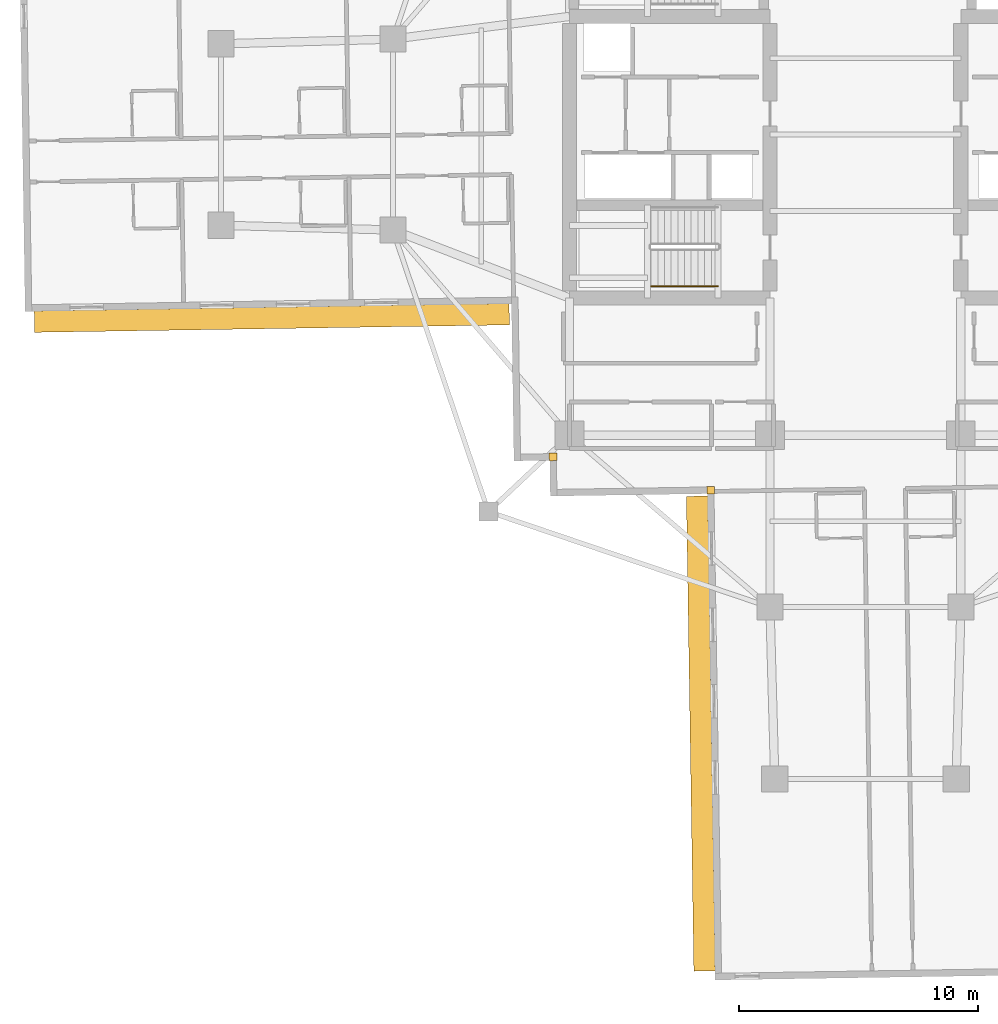
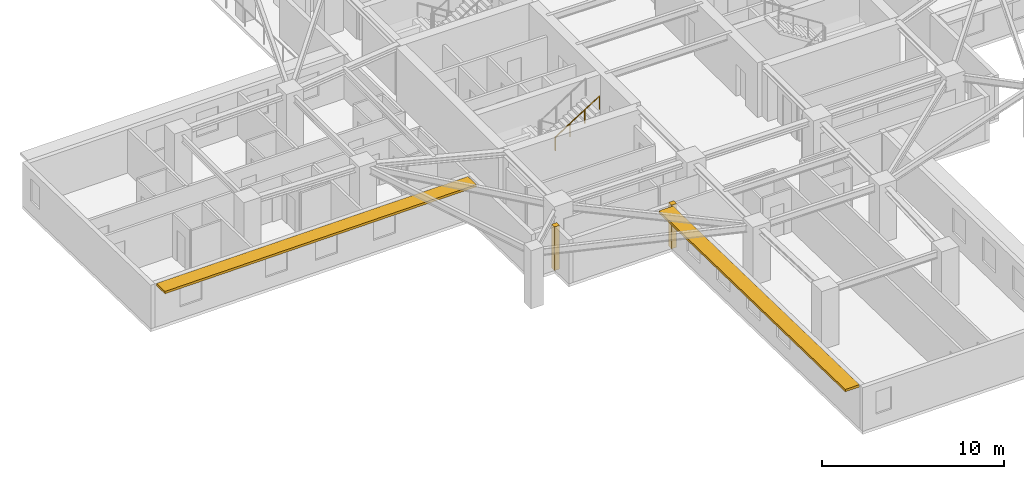
# One storey, part 9 of 13: 2 coverings, 2 shading devices, 1 railing.
"""IFC4 building model written with IfcOpenShell, lengths in metres."""

import ifcopenshell
import ifcopenshell.guid

model = None  # the IFC model being written
_history = None  # IfcOwnerHistory: only IFC2X3 demands one
_inside = {}  # id of a spatial element -> (the spatial element, [elements in it])
_under = {}  # id of a project, library or spatial element -> (it, [spatial elements below it])
_declared = {}  # id of a project -> (the project, [libraries it declares])
_typed = {}  # id of a type object -> (the type object, [elements of that type])
_made_of = {}  # id of a material, layer set ... -> (it, [elements and type objects made of it])


def new_model(schema):
    """Start an empty IFC model of exactly this schema.

    Asked for "IFC4X3", IfcOpenShell would pick the latest addendum, in which some entities
    have other attributes; the version numbers below select the first issue.
    IFC2X3 requires an IfcOwnerHistory on every rooted entity: one is made here for all.
    """
    global model, _history
    if schema == "IFC4X3":
        model = ifcopenshell.file(schema_version=(4, 3, 0, 0))
    else:
        model = ifcopenshell.file(schema=schema)
    _inside.clear()
    _under.clear()
    _declared.clear()
    _typed.clear()
    _made_of.clear()
    _history = None
    if model.schema == "IFC2X3":
        org = make("IfcOrganization", Name="unknown")
        user = make(
            "IfcPersonAndOrganization",
            ThePerson=make("IfcPerson", FamilyName="unknown"),
            TheOrganization=org,
        )
        app = make(
            "IfcApplication",
            ApplicationDeveloper=org,
            Version="unknown",
            ApplicationFullName="unknown",
            ApplicationIdentifier="unknown",
        )
        _history = make(
            "IfcOwnerHistory",
            OwningUser=user,
            OwningApplication=app,
            ChangeAction="ADDED",
            CreationDate=0,
        )
    return model


def make(cls, **values):
    """One entity of the class cls with the attributes given. An attribute that is None is left unset."""
    return model.create_entity(
        cls, **{name: value for name, value in values.items() if value is not None}
    )


def rooted(cls, **values):
    """An entity with a GlobalId (a new one), such as an element, a storey or a relation."""
    return make(cls, GlobalId=ifcopenshell.guid.new(), OwnerHistory=_history, **values)


def si_unit(unit_type, name, prefix=None):
    """IfcSIUnit, for example si_unit("LENGTHUNIT", "METRE", prefix="MILLI")."""
    return make("IfcSIUnit", UnitType=unit_type, Prefix=prefix, Name=name)


def assignment(units):
    """IfcUnitAssignment: the units of a project."""
    return None if units is None else make("IfcUnitAssignment", Units=units)


def point(xyz):
    """IfcCartesianPoint."""
    return None if xyz is None else make("IfcCartesianPoint", Coordinates=xyz)


def direction(xyz):
    """IfcDirection."""
    return None if xyz is None else make("IfcDirection", DirectionRatios=xyz)


def frame(location, z_axis=None, x_axis=None):
    """IfcAxis2Placement3D, a coordinate frame: its origin and axes. An axis left out is left unset."""
    return make(
        "IfcAxis2Placement3D",
        Location=point(location),
        Axis=direction(z_axis),
        RefDirection=direction(x_axis),
    )


def frame_2d(location, x_axis=None):
    """IfcAxis2Placement2D, a coordinate frame in the plane: its origin and x axis."""
    return make(
        "IfcAxis2Placement2D", Location=point(location), RefDirection=direction(x_axis)
    )


def origin():
    """The frame at (0, 0, 0) with its axes left unset."""
    return frame((0.0, 0.0, 0.0))


def origin_2d():
    """The frame at (0, 0) in the plane with its x axis left unset."""
    return frame_2d((0.0, 0.0))


def place(relative_to, where):
    """IfcLocalPlacement: puts the frame where relative to a parent placement (None: the world)."""
    return make(
        "IfcLocalPlacement", PlacementRelTo=relative_to, RelativePlacement=where
    )


def context(
    kind, dimensions, precision=None, world=None, true_north=None, identifier=None
):
    """IfcGeometricRepresentationContext, for example the 3D "Model" context."""
    return make(
        "IfcGeometricRepresentationContext",
        ContextIdentifier=identifier,
        ContextType=kind,
        CoordinateSpaceDimension=dimensions,
        Precision=precision,
        WorldCoordinateSystem=world,
        TrueNorth=true_north,
    )


def subcontext(parent, identifier, kind, view, scale=None):
    """IfcGeometricRepresentationSubContext, for example "Body" below "Model"."""
    return make(
        "IfcGeometricRepresentationSubContext",
        ContextIdentifier=identifier,
        ContextType=kind,
        ParentContext=parent,
        TargetScale=scale,
        TargetView=view,
    )


def project(units=None, contexts=None):
    """IfcProject with its units and contexts."""
    return rooted(
        "IfcProject",
        Name="project",
        RepresentationContexts=contexts,
        UnitsInContext=assignment(units),
    )


def spatial(cls, under=None, at=None, **own):
    """A site, building, storey or space (cls), placed at a placement, below another one or the project."""
    s = rooted(cls, ObjectPlacement=at, **own)
    if under is not None:
        _under.setdefault(under.id(), (under, []))[1].append(s)
    return s


def profile(cls, at=None, kind="AREA", **sizes):
    """A parametric profile (cls). Its sizes go by their IFC names, for example OverallWidth=200.0."""
    return make(cls, ProfileType=kind, Position=at, **sizes)


def rectangle(**sizes):
    """IfcRectangleProfileDef."""
    return profile("IfcRectangleProfileDef", **sizes)


def circle(**sizes):
    """IfcCircleProfileDef."""
    return profile("IfcCircleProfileDef", **sizes)


def extrude(swept, where, along, depth):
    """IfcExtrudedAreaSolid: the profile swept, set in the frame where, extruded along a direction by depth."""
    return make(
        "IfcExtrudedAreaSolid",
        SweptArea=swept,
        Position=where,
        ExtrudedDirection=direction(along),
        Depth=depth,
    )


def shape(context_of_items, identifier, shape_type, items):
    """IfcShapeRepresentation: the items that make up one representation, for example the "Body"."""
    return make(
        "IfcShapeRepresentation",
        ContextOfItems=context_of_items,
        RepresentationIdentifier=identifier,
        RepresentationType=shape_type,
        Items=items,
    )


def material(Name=None, Category=None):
    """IfcMaterial."""
    return make("IfcMaterial", Name=Name, Category=Category)


def layer(
    of_material, thickness, ventilated=None, Name=None, Category=None, Priority=None
):
    """IfcMaterialLayer: one layer of a wall or slab, of a material (None: an air gap)."""
    return make(
        "IfcMaterialLayer",
        Material=of_material,
        LayerThickness=thickness,
        IsVentilated=ventilated,
        Name=Name,
        Category=Category,
        Priority=Priority,
    )


def layer_set(layers, Name=None):
    """IfcMaterialLayerSet."""
    return make("IfcMaterialLayerSet", MaterialLayers=layers, LayerSetName=Name)


def made_of(thing, what):
    """Note that an element or type object is made of a material, layer set ...; save() writes the relation."""
    if what is not None:
        _made_of.setdefault(what.id(), (what, []))[1].append(thing)
    return thing


def type_object(cls, material=None, **own):
    """A type object (cls), such as IfcWallType, which elements share."""
    return made_of(rooted(cls, **own), material)


def element(
    cls,
    number,
    at=None,
    inside=None,
    cuts=None,
    type_object=None,
    material=None,
    context=None,
    identifier="Body",
    shape_type=None,
    held_by="IfcProductDefinitionShape",
    body=None,
    shapes=None,
    **own,
):
    """One element of the class cls, such as IfcWall. Its Tag is "e" and its number.

    at: its placement. inside: the storey or other place that contains it. cuts: it is an
    opening in that element (IfcRelVoidsElement). A single representation is given by context,
    identifier, shape_type and body (its items); several are given by shapes. held_by: the class
    of the entity that holds the representations. save() writes the other relations.
    """
    e = rooted(cls, Tag="e%d" % number, ObjectPlacement=at, **own)
    if body is not None:
        shapes = [shape(context, identifier, shape_type, body)]
    if shapes is not None:
        e.Representation = make(held_by, Representations=shapes)
    if inside is not None:
        _inside.setdefault(inside.id(), (inside, []))[1].append(e)
    if cuts is not None:
        rooted(
            "IfcRelVoidsElement", RelatingBuildingElement=cuts, RelatedOpeningElement=e
        )
    if type_object is not None:
        _typed.setdefault(type_object.id(), (type_object, []))[1].append(e)
    return made_of(e, material)


def aggregate(whole, parts):
    """IfcRelAggregates: a whole, such as a stair, and the parts it consists of."""
    return rooted("IfcRelAggregates", RelatingObject=whole, RelatedObjects=parts)


def save(model, path):
    """Write the relations noted so far, then the file.

    IfcRelAggregates (storeys below a building ...), IfcRelContainedInSpatialStructure (elements
    in a storey), IfcRelDefinesByType, IfcRelAssociatesMaterial and IfcRelDeclares: one each for
    every whole, place, type object, material and project.
    """
    for whole, parts in _under.values():
        aggregate(whole, parts)
    for where, things in _inside.values():
        rooted(
            "IfcRelContainedInSpatialStructure",
            RelatedElements=things,
            RelatingStructure=where,
        )
    for kind, things in _typed.values():
        rooted("IfcRelDefinesByType", RelatedObjects=things, RelatingType=kind)
    for what, things in _made_of.values():
        rooted("IfcRelAssociatesMaterial", RelatedObjects=things, RelatingMaterial=what)
    for by, libraries in _declared.values():
        rooted("IfcRelDeclares", RelatingContext=by, RelatedDefinitions=libraries)
    model.write(path)


model = new_model("IFC4")

# Units and contexts
model_context = context("Model", 3, precision=1e-05, world=origin(), true_north=direction((0.0, 1.0)))
body_context = subcontext(model_context, "Body", "Model", "MODEL_VIEW")
ifc_project = project(units=[si_unit("LENGTHUNIT", "METRE"), si_unit("AREAUNIT", "SQUARE_METRE"), si_unit("VOLUMEUNIT", "CUBIC_METRE"), si_unit("PLANEANGLEUNIT", "RADIAN"), si_unit("MASSUNIT", "GRAM", prefix="KILO")], contexts=[model_context])

# Site, building, storey
site_placement = place(None, origin())
site = spatial("IfcSite", under=ifc_project, at=site_placement, CompositionType="ELEMENT")
building_placement = place(site_placement, origin())
building = spatial("IfcBuilding", under=site, at=building_placement, Name="Qingluan Cross Belvedere", CompositionType="ELEMENT")
storey_placement = place(building_placement, frame((0.0, 0.0, 139.800048828125)))
storey = spatial("IfcBuildingStorey", under=building, at=storey_placement, Name="L35", CompositionType="ELEMENT", Elevation=139.800048828125)

# Coverings
ifc_material_1 = material(Name="Precast concrete C45", Category="concrete")
ifc_layer_1 = layer(ifc_material_1, 0.1201171875, Name="ConcreteSpandrelCladding_120")
ifc_layer_set_1 = layer_set([ifc_layer_1], Name="Precast concrete C45")
covering_type = type_object("IfcCoveringType", Name="ConcreteSpandrelCladding_120", PredefinedType="CLADDING", material=ifc_layer_set_1)
for number, where, z_axis, x_axis, name in (
    (1, (-13.089599609375, -13.50732421875, 0.0), (0.0, 0.0, 1.0), (0.999876632482, 0.015707317312, 0.0), "Corner closure L35-SW1"),
    (2, (-6.48681640625, -14.90380859375, 0.0), (0.0, 0.0, 1.0), (0.999876632482, 0.015707317312, 0.0), "Corner closure L35-SW2"),
):
    element("IfcCovering", number, at=place(storey_placement, frame(where, z_axis=z_axis, x_axis=x_axis)), inside=storey, type_object=covering_type, Name=name, PredefinedType="CLADDING", context=body_context, shape_type="SweptSolid", body=[
        extrude(rectangle(XDim=0.320068359375, YDim=0.320068359375, at=origin_2d()), origin(), (0.0, 0.0, 1.0), 2.919921875),
    ])

# Shading devices
ifc_material_2 = material(Name="Precast concrete C45", Category="concrete")
ifc_layer_2 = layer(ifc_material_2, 0.159912109375, Name="ConcreteSunshadeBand_900")
ifc_layer_set_2 = layer_set([ifc_layer_2], Name="Precast concrete C45")
shading_device_type = type_object("IfcShadingDeviceType", Name="ConcreteSunshadeBand_900", PredefinedType="USERDEFINED", material=ifc_layer_set_2)
for number, where, z_axis, x_axis, name in (
    (3, (-24.872314453125, -7.681640625, 2.740234375), (0.0, 0.0, 1.0), (0.999876567432, 0.015711457647, 0.0), "Concrete SUNSHADE L35-WB"),
    (4, (-6.896484375, -25.101318359375, 2.740234375), (0.0, 0.0, 1.0), (0.015706483741, -0.999876645576, 0.0), "Concrete SUNSHADE L35-SA"),
):
    element("IfcShadingDevice", number, at=place(storey_placement, frame(where, z_axis=z_axis, x_axis=x_axis)), inside=storey, type_object=shading_device_type, Name=name, ObjectType="SUNSHADE", PredefinedType="USERDEFINED", context=body_context, shape_type="SweptSolid", body=[
        extrude(rectangle(XDim=19.89990234375, YDim=0.89990234375, at=origin_2d()), origin(), (0.0, 0.0, 1.0), 0.159912109375),
    ])

# Railing
ifc_material_3 = material(Name="Brushed stainless steel tubular handrail", Category="steel")
railing_type = type_object("IfcRailingType", Name="StairPitchHandrail_900", PredefinedType="HANDRAIL", material=ifc_material_3)
railing_placement = place(storey_placement, frame((-8.97998046875, -6.35009765625, 2.127197265625)))
element("IfcRailing", 5, at=railing_placement, inside=storey, type_object=railing_type, Name="L35 ST1 stair handrail 2", PredefinedType="HANDRAIL", context=body_context, shape_type="SweptSolid", body=[
    extrude(circle(Radius=0.02392578125, at=origin_2d()), frame((0.0, 0.0, 0.8759765625), z_axis=(0.844908973607, 0.0, 0.534910110503), x_axis=(0.0, 1.0, 0.0)), (0.0, 0.0, 1.0), 3.31396484375),
    extrude(circle(Radius=0.02099609375, at=origin_2d()), origin(), (0.0, 0.0, 1.0), 0.851806640625),
    extrude(circle(Radius=0.02099609375, at=origin_2d()), frame((0.933349609375, 0.0, 0.5908203125)), (0.0, 0.0, 1.0), 0.851806640625),
    extrude(circle(Radius=0.02099609375, at=origin_2d()), frame((1.86669921875, 0.0, 1.181884765625)), (0.0, 0.0, 1.0), 0.851806640625),
    extrude(circle(Radius=0.02099609375, at=origin_2d()), frame((2.800048828125, 0.0, 1.772705078125)), (0.0, 0.0, 1.0), 0.851806640625),
])

save(model, "model.ifc")
